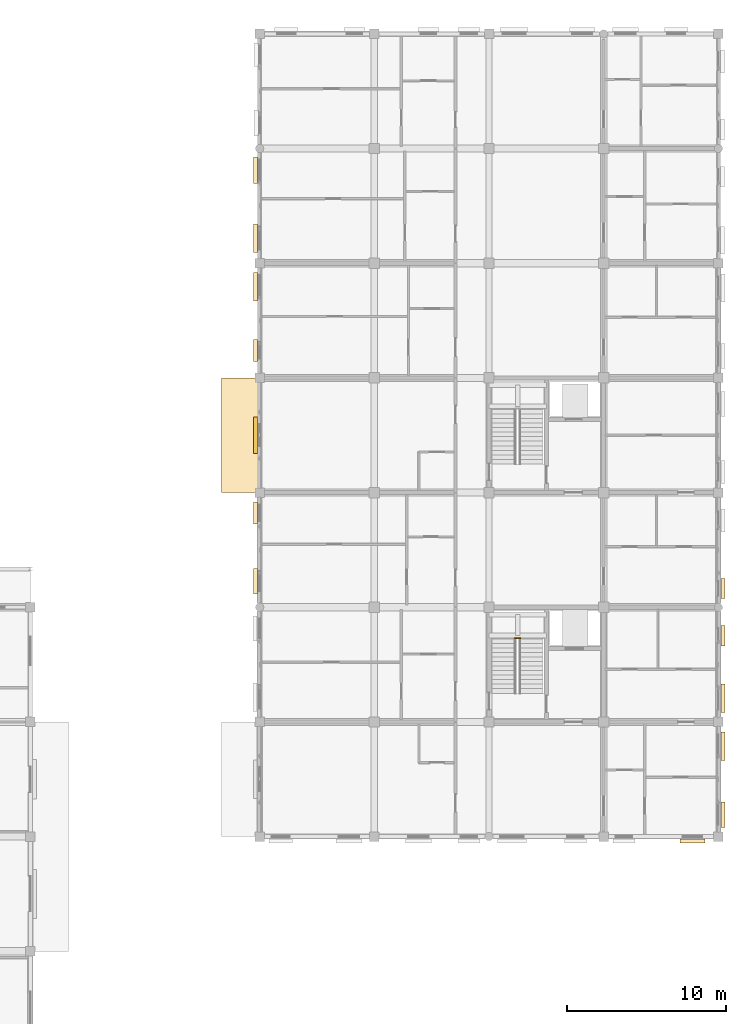
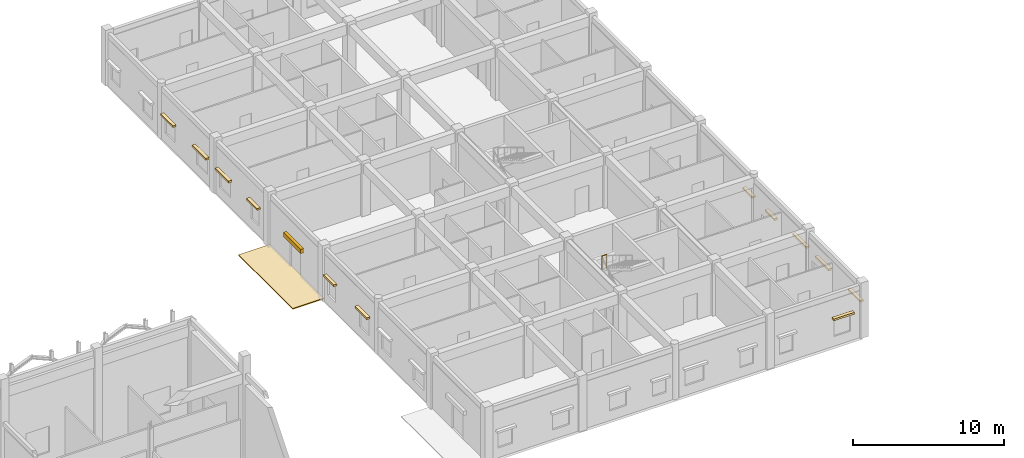
# One storey, part 133 of 138: 14 coverings, 1 railing.
"""IFC4 building model written with IfcOpenShell, lengths in metres."""

from ifc_helpers import new_model, si_unit, direction, frame, origin, origin_2d, place, context, subcontext, project, spatial, polyline, rectangle, circle, outline, extrude, material, layer, layer_set, type_object, element, save


model = new_model("IFC4")

# Units and contexts
model_context = context("Model", 3, precision=1e-05, world=origin(), true_north=direction((0.0, 1.0)))
body_context = subcontext(model_context, "Body", "Model", "MODEL_VIEW")
ifc_project = project(units=[si_unit("LENGTHUNIT", "METRE"), si_unit("AREAUNIT", "SQUARE_METRE"), si_unit("VOLUMEUNIT", "CUBIC_METRE"), si_unit("PLANEANGLEUNIT", "RADIAN"), si_unit("MASSUNIT", "GRAM", prefix="KILO"), si_unit("THERMODYNAMICTEMPERATUREUNIT", "KELVIN"), si_unit("POWERUNIT", "WATT")], contexts=[model_context])

# Site, building, storey
site_placement = place(None, origin())
site = spatial("IfcSite", under=ifc_project, at=site_placement, CompositionType="ELEMENT")
building_placement = place(site_placement, origin())
building = spatial("IfcBuilding", under=site, at=building_placement, Name="Tavuni Mirador Residences", CompositionType="ELEMENT")
storey_placement = place(building_placement, origin())
storey = spatial("IfcBuildingStorey", under=building, at=storey_placement, Name="L00", CompositionType="ELEMENT", Elevation=0.0)

# Coverings
ifc_material_1 = material(Name="Natural coral limestone", Category="masonry")
ifc_layer_1 = layer(ifc_material_1, 0.054931640625, Name="Natural coral limestone", Category="masonry")
ifc_layer_set_1 = layer_set([ifc_layer_1], Name="Natural coral limestone")
covering_type_1 = type_object("IfcCoveringType", Name="CVT-CLAD-CORAL", PredefinedType="CLADDING", material=ifc_layer_set_1)
for number, where, z_axis, x_axis, name in (
    (1, (117.175048828125, 86.133056640625, 2.2451171875), (0.0, 0.0, 1.0), (1.0, 0.0, 0.0), "HOOD-0851"),
    (2, (119.0869140625, 87.77490234375, 2.2451171875), (0.0, 0.0, 1.0), (0.0, 1.0, 0.0), "HOOD-0852"),
):
    element("IfcCovering", number, at=place(storey_placement, frame(where, z_axis=z_axis, x_axis=x_axis)), inside=storey, type_object=covering_type_1, Name=name, PredefinedType="CLADDING", context=body_context, shape_type="SweptSolid", body=[
        extrude(rectangle(XDim=1.590087890625, YDim=0.25, at=origin_2d()), origin(), (0.0, 0.0, 1.0), 0.14990234375),
    ])
for number, where, z_axis, x_axis, name in (
    (3, (119.0869140625, 92.074951171875, 2.2451171875), (0.0, 0.0, 1.0), (0.0, 1.0, 0.0), "HOOD-0853"),
    (4, (119.094482421875, 95.074951171875, 2.2451171875), (0.0, 0.0, 1.0), (0.0, 1.0, 0.0), "HOOD-0854"),
):
    element("IfcCovering", number, at=place(storey_placement, frame(where, z_axis=z_axis, x_axis=x_axis)), inside=storey, type_object=covering_type_1, Name=name, PredefinedType="CLADDING", context=body_context, shape_type="SweptSolid", body=[
        extrude(rectangle(XDim=1.7900390625, YDim=0.25, at=origin_2d()), origin(), (0.0, 0.0, 1.0), 0.14990234375),
    ])
for number, where, z_axis, x_axis, name in (
    (5, (119.094482421875, 99.010009765625, 1.955078125), (0.0, 0.0, 1.0), (0.0, 1.0, 0.0), "HOOD-0855"),
    (6, (119.094482421875, 101.969970703125, 1.955078125), (0.0, 0.0, 1.0), (0.0, 1.0, 0.0), "HOOD-0856"),
):
    element("IfcCovering", number, at=place(storey_placement, frame(where, z_axis=z_axis, x_axis=x_axis)), inside=storey, type_object=covering_type_1, Name=name, PredefinedType="CLADDING", context=body_context, shape_type="SweptSolid", body=[
        extrude(rectangle(XDim=1.260009765625, YDim=0.25, at=origin_2d()), origin(), (0.0, 0.0, 1.0), 0.14990234375),
    ])
covering_1_placement = place(storey_placement, frame((89.75048828125, 128.239990234375, 2.1650390625), z_axis=(0.0, 0.0, 1.0), x_axis=(0.0, -1.0, 0.0)))
element("IfcCovering", 7, at=covering_1_placement, inside=storey, type_object=covering_type_1, Name="HOOD-0876", PredefinedType="CLADDING", context=body_context, shape_type="SweptSolid", body=[
    extrude(rectangle(XDim=1.639892578125, YDim=0.25, at=origin_2d()), origin(), (0.0, 0.0, 1.0), 0.14990234375),
])
for number, where, z_axis, x_axis, name in (
    (8, (89.75048828125, 123.9599609375, 2.1650390625), (0.0, 0.0, 1.0), (0.0, -1.0, 0.0), "HOOD-0877"),
    (9, (89.740478515625, 120.919921875, 2.1650390625), (0.0, 0.0, 1.0), (0.0, -1.0, 0.0), "HOOD-0878"),
):
    element("IfcCovering", number, at=place(storey_placement, frame(where, z_axis=z_axis, x_axis=x_axis)), inside=storey, type_object=covering_type_1, Name=name, PredefinedType="CLADDING", context=body_context, shape_type="SweptSolid", body=[
        extrude(rectangle(XDim=1.800048828125, YDim=0.25, at=origin_2d()), origin(), (0.0, 0.0, 1.0), 0.14990234375),
    ])
covering_2_placement = place(storey_placement, frame((89.740478515625, 116.925048828125, 2.2451171875), z_axis=(0.0, 0.0, 1.0), x_axis=(0.0, -1.0, 0.0)))
element("IfcCovering", 10, at=covering_2_placement, inside=storey, type_object=covering_type_1, Name="HOOD-0879", PredefinedType="CLADDING", context=body_context, shape_type="SweptSolid", body=[
    extrude(rectangle(XDim=1.389892578125, YDim=0.25, at=origin_2d()), origin(), (0.0, 0.0, 1.0), 0.14990234375),
])
covering_3_placement = place(storey_placement, frame((89.738037109375, 111.60009765625, 2.25), z_axis=(0.0, 0.0, 1.0), x_axis=(0.0, -1.0, 0.0)))
element("IfcCovering", 11, at=covering_3_placement, inside=storey, type_object=covering_type_1, Name="CLAD-BLK-D-W03", PredefinedType="CLADDING", context=body_context, shape_type="SweptSolid", body=[
    extrude(rectangle(XDim=2.300048828125, YDim=0.239990234375, at=origin_2d()), origin(), (0.0, 0.0, 1.0), 0.340087890625),
])
covering_4_placement = place(storey_placement, frame((89.7255859375, 106.72509765625, 2.2451171875), z_axis=(0.0, 0.0, 1.0), x_axis=(0.0, -1.0, 0.0)))
element("IfcCovering", 12, at=covering_4_placement, inside=storey, type_object=covering_type_1, Name="HOOD-0880", PredefinedType="CLADDING", context=body_context, shape_type="SweptSolid", body=[
    extrude(rectangle(XDim=1.389892578125, YDim=0.25, at=origin_2d()), origin(), (0.0, 0.0, 1.0), 0.14990234375),
])
covering_5_placement = place(storey_placement, frame((89.7255859375, 102.425048828125, 2.2451171875), z_axis=(0.0, 0.0, 1.0), x_axis=(0.0, -1.0, 0.0)))
element("IfcCovering", 13, at=covering_5_placement, inside=storey, type_object=covering_type_1, Name="HOOD-0881", PredefinedType="CLADDING", context=body_context, shape_type="SweptSolid", body=[
    extrude(rectangle(XDim=1.590087890625, YDim=0.25, at=origin_2d()), origin(), (0.0, 0.0, 1.0), 0.14990234375),
])
ifc_material_2 = material(Name="Dressed coral-stone paving", Category="masonry")
ifc_layer_2 = layer(ifc_material_2, 0.080078125, Name="Dressed coral-stone paving", Category="masonry")
ifc_layer_set_2 = layer_set([ifc_layer_2], Name="Dressed coral-stone paving")
covering_type_2 = type_object("IfcCoveringType", Name="CVT-PAV-COURT", PredefinedType="USERDEFINED", material=ifc_layer_set_2)
covering_6_placement = place(storey_placement, frame((0.0, 0.0, -0.080078125)))
element("IfcCovering", 14, at=covering_6_placement, inside=storey, type_object=covering_type_2, Name="PAV-APR-BLKD-W2", ObjectType="PAVING", PredefinedType="USERDEFINED", context=body_context, shape_type="SweptSolid", body=[
    extrude(outline(polyline([(87.60009765625, 108.0), (90.0, 108.0), (90.0, 115.199951171875), (87.60009765625, 115.199951171875), (87.60009765625, 108.0)])), origin(), (0.0, 0.0, 1.0), 0.080078125),
])

# Railing
ifc_material_3 = material(Name="Structural steel S355", Category="steel")
railing_type = type_object("IfcRailingType", Name="RT-GR1120", PredefinedType="GUARDRAIL", material=ifc_material_3)
railing_placement = place(storey_placement, frame((106.02001953125, 98.860107421875, 2.25)))
element("IfcRailing", 15, at=railing_placement, inside=storey, type_object=railing_type, Name="GRD-HL-ST7-L00", PredefinedType="GUARDRAIL", context=body_context, shape_type="SweptSolid", body=[
    extrude(circle(Radius=0.02392578125, at=origin_2d()), frame((0.0, 0.0, 1.09619140625), z_axis=(1.0, 0.0, 0.0), x_axis=(0.0, 1.0, 0.0)), (0.0, 0.0, 1.0), 0.35986328125),
    extrude(circle(Radius=0.02099609375, at=origin_2d()), origin(), (0.0, 0.0, 1.0), 1.072021484375),
    extrude(circle(Radius=0.02099609375, at=origin_2d()), frame((0.35986328125, 0.0, 0.0)), (0.0, 0.0, 1.0), 1.072021484375),
])

save(model, "model.ifc")
